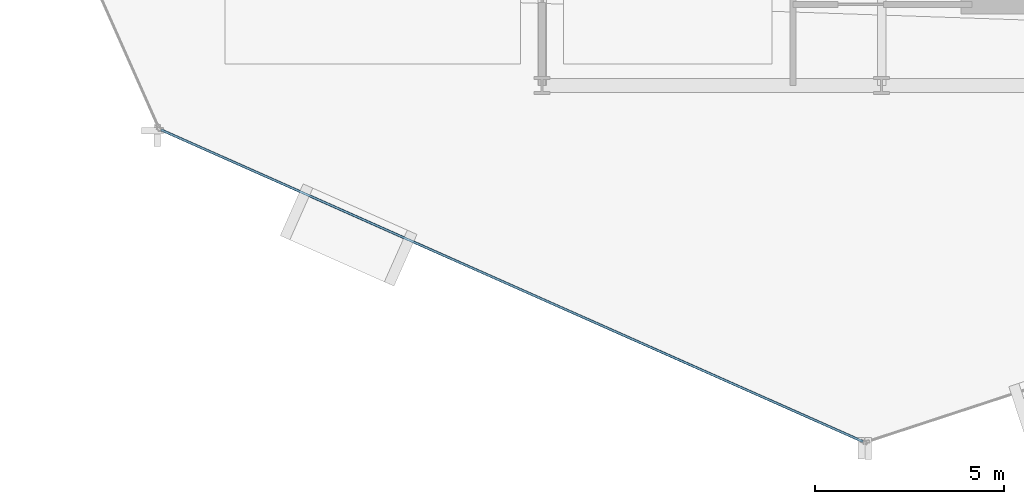
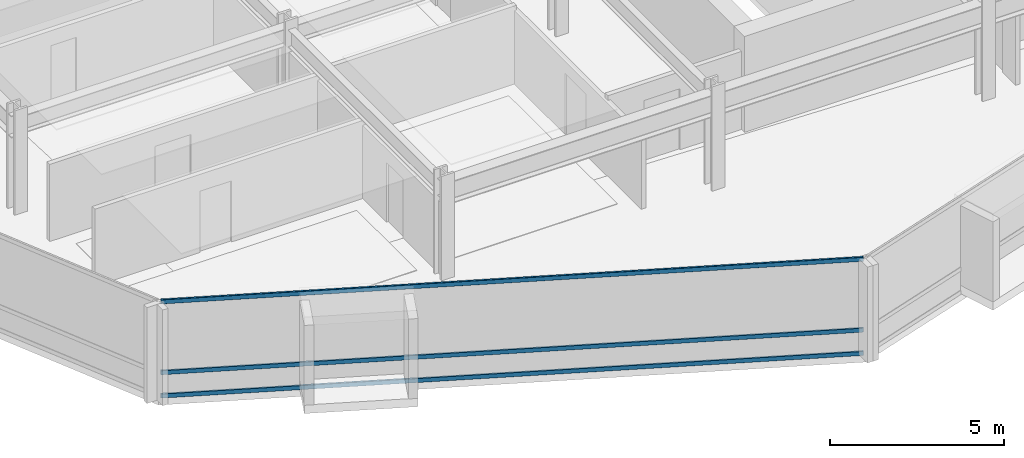
# One storey, part 3 of 34: 3 members, 1 element without a shape of its own.
"""IFC4 building model written with IfcOpenShell, lengths in metres."""

from ifc_helpers import new_model, si_unit, direction, frame, origin, origin_2d, place, context, subcontext, project, spatial, hollow_rectangle, extrude, material, layer, layer_set, material_profile, profile_set, type_object, element, aggregate, save


model = new_model("IFC4")

# Units and contexts
model_context = context("Model", 3, precision=1e-05, world=origin(), true_north=direction((0.0, 1.0)))
body_context = subcontext(model_context, "Body", "Model", "MODEL_VIEW")
ifc_project = project(units=[si_unit("LENGTHUNIT", "METRE"), si_unit("AREAUNIT", "SQUARE_METRE"), si_unit("VOLUMEUNIT", "CUBIC_METRE"), si_unit("PLANEANGLEUNIT", "RADIAN"), si_unit("MASSUNIT", "GRAM", prefix="KILO")], contexts=[model_context])

# Site, building, storey
site_placement = place(None, origin())
site = spatial("IfcSite", under=ifc_project, at=site_placement, CompositionType="ELEMENT")
building_placement = place(site_placement, origin())
building = spatial("IfcBuilding", under=site, at=building_placement, Name="Solvaryn Broadcast Tower", CompositionType="ELEMENT")
storey_placement = place(building_placement, frame((0.0, 0.0, 96.5)))
storey = spatial("IfcBuildingStorey", under=building, at=storey_placement, Name="L23", CompositionType="ELEMENT", Elevation=96.5)

# Curtain wall, members
ifc_material_1 = material(Name="Aluminium and Terracotta Unitised Curtain Wall", Category="masonry")
ifc_layer = layer(ifc_material_1, 0.199951171875)
ifc_layer_set = layer_set([ifc_layer], Name="CW-SYS2-LOWMID")
curtain_wall_type = type_object("IfcCurtainWallType", Name="CW-SYS2-LOWMID", PredefinedType="NOTDEFINED", material=ifc_layer_set)
curtain_wall_placement = place(storey_placement, origin())
curtain_wall = element("IfcCurtainWall", 1, at=curtain_wall_placement, inside=storey, type_object=curtain_wall_type, Name="L23 Curtain Wall DR3", PredefinedType="NOTDEFINED")
ifc_material_2 = material(Name="Anodised Aluminium 6063-T6", Category="aluminium")
ifc_material_profile = material_profile(ifc_material_2, hollow_rectangle(XDim=0.06494140625, YDim=0.14990234375, WallThickness=0.00390625, InnerFilletRadius=0.00390625, OuterFilletRadius=0.008056640625, at=origin_2d()))
ifc_profile_set = profile_set([ifc_material_profile], Name="Anodised Aluminium 6063-T6")
member_type = type_object("IfcMemberType", Name="CW-TRN-150", PredefinedType="USERDEFINED", material=ifc_profile_set)
member_1_placement = place(storey_placement, frame((7.90185546875, 7.82275390625, 0.030029296875), z_axis=(0.913914888191, -0.405905872269, 0.0), x_axis=(0.405905872269, 0.913914888191, 0.0)))
member_1 = element("IfcMember", 2, at=member_1_placement, type_object=member_type, Name="CWS2 transom 1.1", ObjectType="TRANSOM", PredefinedType="USERDEFINED", context=body_context, shape_type="SweptSolid", body=[
    extrude(hollow_rectangle(XDim=0.06494140625, YDim=0.14990234375, WallThickness=0.00390625, InnerFilletRadius=0.00390625, OuterFilletRadius=0.008056640625, at=origin_2d()), origin(), (0.0, 0.0, 1.0), 20.35546875),
])
member_2_placement = place(storey_placement, frame((7.90185546875, 7.82275390625, 0.85009765625), z_axis=(0.913914888191, -0.405905872269, 0.0), x_axis=(0.405905872269, 0.913914888191, 0.0)))
member_2 = element("IfcMember", 3, at=member_2_placement, type_object=member_type, Name="CWS2 transom 1.2", ObjectType="TRANSOM", PredefinedType="USERDEFINED", context=body_context, shape_type="SweptSolid", body=[
    extrude(hollow_rectangle(XDim=0.06494140625, YDim=0.14990234375, WallThickness=0.00390625, InnerFilletRadius=0.00390625, OuterFilletRadius=0.008056640625, at=origin_2d()), origin(), (0.0, 0.0, 1.0), 20.35546875),
])
member_3_placement = place(storey_placement, frame((7.90185546875, 7.82275390625, 3.340087890625), z_axis=(0.913914888191, -0.405905872269, 0.0), x_axis=(0.405905872269, 0.913914888191, 0.0)))
member_3 = element("IfcMember", 4, at=member_3_placement, type_object=member_type, Name="CWS2 transom 1.3", ObjectType="TRANSOM", PredefinedType="USERDEFINED", context=body_context, shape_type="SweptSolid", body=[
    extrude(hollow_rectangle(XDim=0.06494140625, YDim=0.14990234375, WallThickness=0.00390625, InnerFilletRadius=0.00390625, OuterFilletRadius=0.008056640625, at=origin_2d()), origin(), (0.0, 0.0, 1.0), 20.35546875),
])
aggregate(curtain_wall, [member_1, member_2, member_3])

save(model, "model.ifc")
